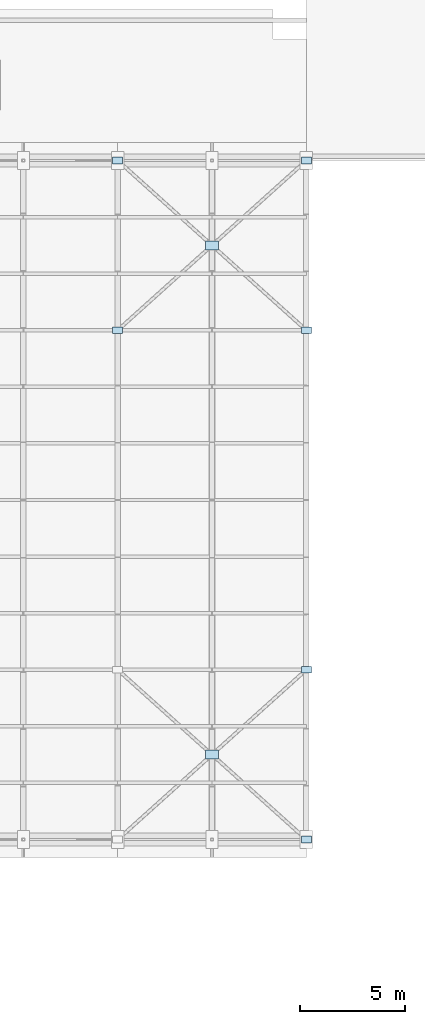
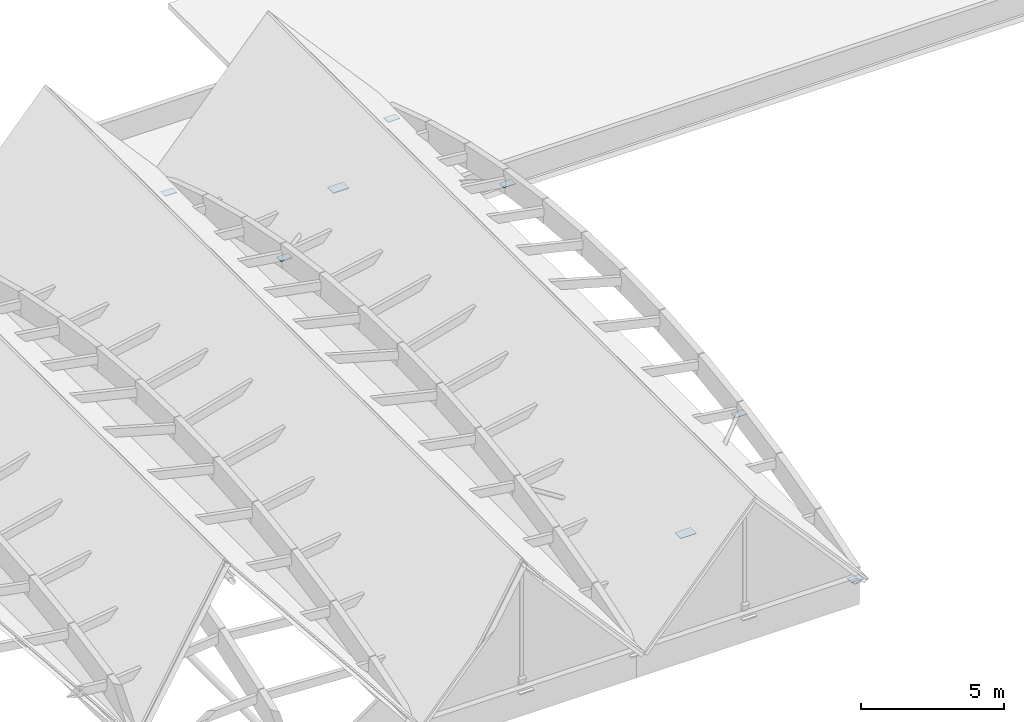
# One storey, part 34 of 39: 8 plates.
"""IFC4 building model written with IfcOpenShell, lengths in metres."""

from ifc_helpers import new_model, si_unit, direction, frame, origin, origin_2d, place, context, subcontext, project, spatial, rectangle, extrude, material, layer, layer_set, type_object, element, save


model = new_model("IFC4")

# Units and contexts
model_context = context("Model", 3, precision=1e-05, world=origin(), true_north=direction((0.0, 1.0)))
body_context = subcontext(model_context, "Body", "Model", "MODEL_VIEW")
ifc_project = project(units=[si_unit("LENGTHUNIT", "METRE"), si_unit("AREAUNIT", "SQUARE_METRE"), si_unit("VOLUMEUNIT", "CUBIC_METRE"), si_unit("PLANEANGLEUNIT", "RADIAN"), si_unit("MASSUNIT", "GRAM", prefix="KILO")], contexts=[model_context])

# Site, building, storey
site_placement = place(None, origin())
site = spatial("IfcSite", under=ifc_project, at=site_placement, CompositionType="ELEMENT")
building_placement = place(site_placement, origin())
building = spatial("IfcBuilding", under=site, at=building_placement, Name="Tizgana Railside Sports Hall", CompositionType="ELEMENT")
storey_placement = place(building_placement, frame((0.0, 0.0, 23.699951171875)))
storey = spatial("IfcBuildingStorey", under=building, at=storey_placement, Name="RF", CompositionType="ELEMENT", Elevation=23.699951171875)

# Plates
ifc_material = material(Name="Steel S355J2", Category="steel")
ifc_layer_1 = layer(ifc_material, 0.01806640625, Name="Steel S355J2")
ifc_layer_set_1 = layer_set([ifc_layer_1], Name="Steel S355J2")
plate_type_1 = type_object("IfcPlateType", Name="Canopy Tie Gusset Plate 480x320x18", PredefinedType="USERDEFINED", material=ifc_layer_set_1)
for number, where, z_axis, x_axis, name in (
    (1, (133.800048828125, 48.89990234375, -0.8310546875), (0.0, 0.0, 1.0), (1.0, 0.0, 0.0), "RF V2 Brace End Plate PLT-0124"),
    (2, (133.800048828125, 40.800048828125, -2.958984375), (0.0, 0.0, 1.0), (1.0, 0.0, 0.0), "RF V2 Brace End Plate PLT-0125"),
    (3, (124.800048828125, 65.10009765625, -0.8310546875), (0.0, 0.0, 1.0), (1.0, 0.0, 0.0), "RF V2 Brace End Plate PLT-0128"),
    (4, (133.800048828125, 73.199951171875, -2.958984375), (0.0, 0.0, 1.0), (1.0, 0.0, 0.0), "RF V2 Brace End Plate PLT-0129"),
    (5, (133.800048828125, 65.10009765625, -0.8310546875), (0.0, 0.0, 1.0), (1.0, 0.0, 0.0), "RF V2 Brace End Plate PLT-0130"),
    (6, (124.800048828125, 73.199951171875, -2.958984375), (0.0, 0.0, 1.0), (1.0, 0.0, 0.0), "RF V2 Brace End Plate PLT-0131"),
):
    element("IfcPlate", number, at=place(storey_placement, frame(where, z_axis=z_axis, x_axis=x_axis)), inside=storey, type_object=plate_type_1, Name=name, ObjectType="GUSSET_PLATE", PredefinedType="USERDEFINED", context=body_context, shape_type="SweptSolid", body=[
        extrude(rectangle(XDim=0.47998046875, YDim=0.320068359375, at=origin_2d()), origin(), (0.0, 0.0, 1.0), 0.01806640625),
    ])
ifc_layer_2 = layer(ifc_material, 0.02392578125, Name="Steel S355J2")
ifc_layer_set_2 = layer_set([ifc_layer_2], Name="Steel S355J2")
plate_type_2 = type_object("IfcPlateType", Name="Roof Brace Gusset Plate 640x420x24", PredefinedType="USERDEFINED", material=ifc_layer_set_2)
for number, where, z_axis, x_axis, name in (
    (7, (129.300048828125, 44.85009765625, -1.89794921875), (0.0, 0.0, 1.0), (1.0, 0.0, 0.0), "RF V2 X-Brace Crossing Plate PLT-0122"),
    (8, (129.300048828125, 69.14990234375, -1.89794921875), (0.0, 0.0, 1.0), (1.0, 0.0, 0.0), "RF V2 X-Brace Crossing Plate PLT-0127"),
):
    element("IfcPlate", number, at=place(storey_placement, frame(where, z_axis=z_axis, x_axis=x_axis)), inside=storey, type_object=plate_type_2, Name=name, ObjectType="GUSSET_PLATE", PredefinedType="USERDEFINED", context=body_context, shape_type="SweptSolid", body=[
        extrude(rectangle(XDim=0.639892578125, YDim=0.419921875, at=origin_2d()), origin(), (0.0, 0.0, 1.0), 0.02392578125),
    ])

save(model, "model.ifc")
